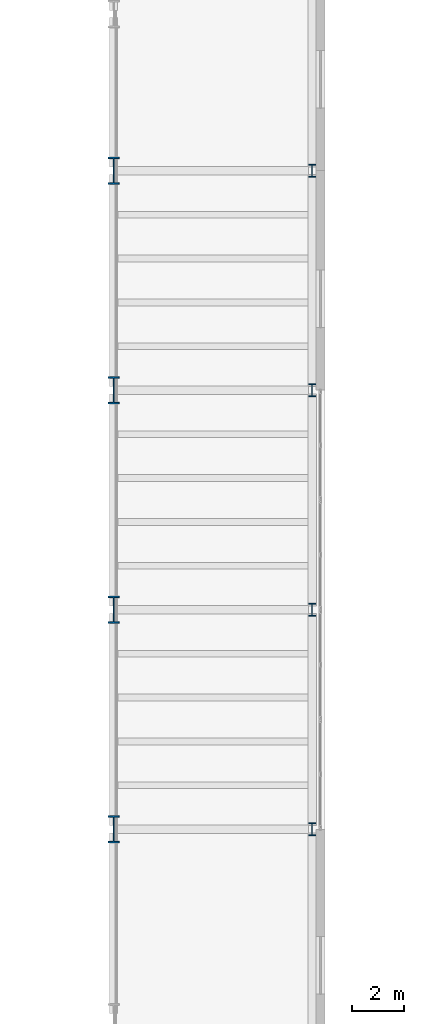
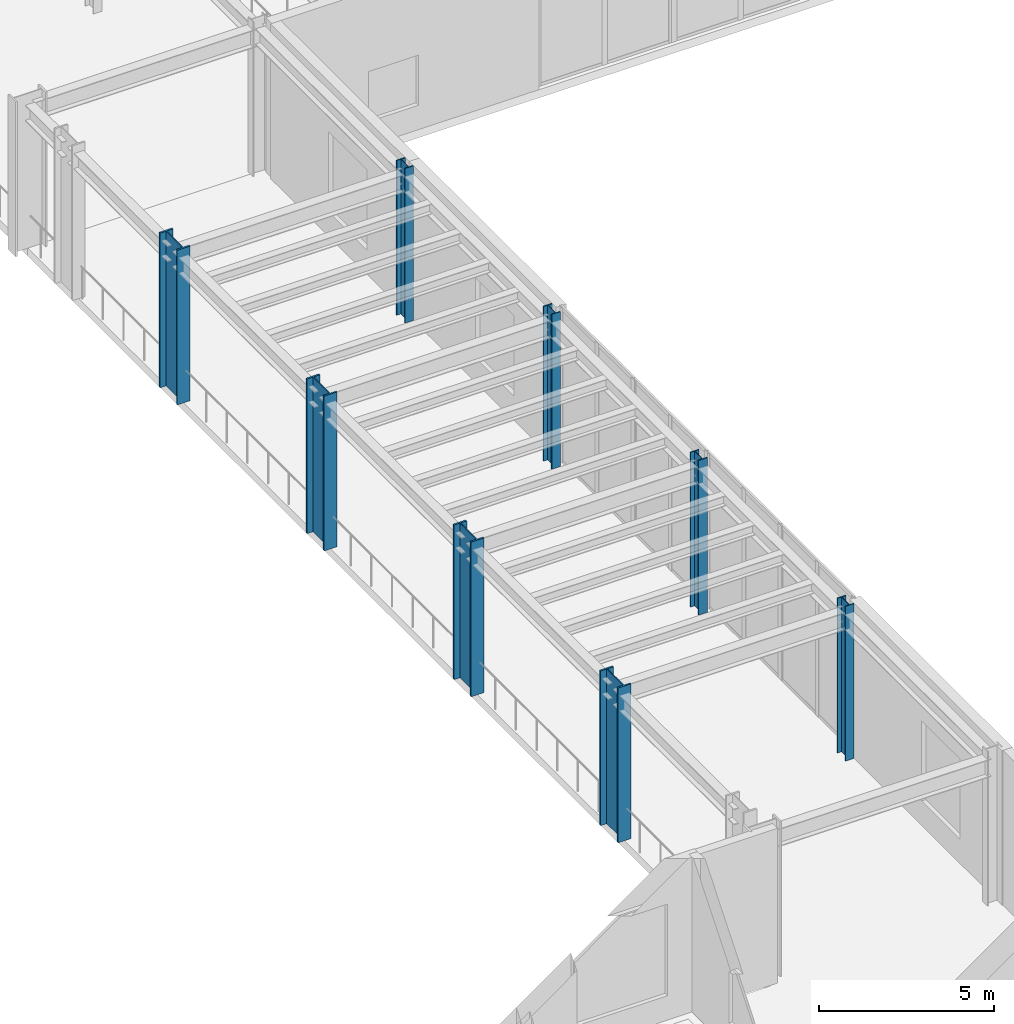
# One storey, part 4 of 98: 8 columns.
"""IFC4 building model written with IfcOpenShell, lengths in metres."""

from ifc_helpers import new_model, si_unit, direction, frame, origin, origin_2d, place, context, subcontext, project, spatial, i_section, extrude, material, material_profile, profile_set, type_object, element, save


model = new_model("IFC4")

# Units and contexts
model_context = context("Model", 3, precision=1e-05, world=origin(), true_north=direction((0.0, 1.0)))
body_context = subcontext(model_context, "Body", "Model", "MODEL_VIEW")
ifc_project = project(units=[si_unit("LENGTHUNIT", "METRE"), si_unit("AREAUNIT", "SQUARE_METRE"), si_unit("VOLUMEUNIT", "CUBIC_METRE"), si_unit("PLANEANGLEUNIT", "RADIAN"), si_unit("MASSUNIT", "GRAM", prefix="KILO")], contexts=[model_context])

# Site, building, storey
site_placement = place(None, origin())
site = spatial("IfcSite", under=ifc_project, at=site_placement, CompositionType="ELEMENT")
building_placement = place(site_placement, origin())
building = spatial("IfcBuilding", under=site, at=building_placement, Name="Sollismere Congress Hotel", CompositionType="ELEMENT")
storey_placement = place(building_placement, frame((0.0, 0.0, 5.39990234375)))
storey = spatial("IfcBuildingStorey", under=building, at=storey_placement, Name="L01", CompositionType="ELEMENT", Elevation=5.39990234375)

# Columns
ifc_material = material(Name="Steel ASTM A992 Grade 50", Category="steel")
ifc_material_profile_1 = material_profile(ifc_material, i_section(OverallWidth=0.283935546875, OverallDepth=0.4951171875, WebThickness=0.0185546875, FlangeThickness=0.033447265625, at=origin_2d()), Name="W18X143")
ifc_profile_set_1 = profile_set([ifc_material_profile_1], Name="Steel ASTM A992 Grade 50")
column_type_1 = type_object("IfcColumnType", Name="COL-W18", PredefinedType="COLUMN", material=ifc_profile_set_1)
for number, where, z_axis, x_axis, name in (
    (1, (58.0, 33.199951171875, 0.0), (0.0, 0.0, 1.0), (1.0, 0.0, 0.0), "Column CL-L01-250"),
    (2, (58.0, 41.60009765625, 0.0), (0.0, 0.0, 1.0), (1.0, 0.0, 0.0), "Column CL-L01-254"),
    (3, (58.0, 50.0, 0.0), (0.0, 0.0, 1.0), (1.0, 0.0, 0.0), "Column CL-L01-258"),
    (4, (58.0, 58.39990234375, 0.0), (0.0, 0.0, 1.0), (1.0, 0.0, 0.0), "Column CL-L01-262"),
):
    element("IfcColumn", number, at=place(storey_placement, frame(where, z_axis=z_axis, x_axis=x_axis)), inside=storey, type_object=column_type_1, Name=name, PredefinedType="COLUMN", context=body_context, shape_type="SweptSolid", body=[
        extrude(i_section(OverallWidth=0.283935546875, OverallDepth=0.4951171875, WebThickness=0.0185546875, FlangeThickness=0.033447265625, at=origin_2d()), origin(), (0.0, 0.0, 1.0), 5.400146484375),
    ])
ifc_material_profile_2 = material_profile(ifc_material, i_section(OverallWidth=0.427001953125, OverallDepth=1.041015625, WebThickness=0.031005859375, FlangeThickness=0.055908203125, at=origin_2d()), Name="W40X397")
ifc_profile_set_2 = profile_set([ifc_material_profile_2], Name="Steel ASTM A992 Grade 50")
column_type_2 = type_object("IfcColumnType", Name="COL-W40", PredefinedType="COLUMN", material=ifc_profile_set_2)
for number, where, z_axis, x_axis, name in (
    (5, (50.39990234375, 33.199951171875, 0.0), (0.0, 0.0, 1.0), (1.0, 0.0, 0.0), "Column CL-L01-207"),
    (6, (50.39990234375, 41.60009765625, 0.0), (0.0, 0.0, 1.0), (1.0, 0.0, 0.0), "Column CL-L01-211"),
    (7, (50.39990234375, 50.0, 0.0), (0.0, 0.0, 1.0), (1.0, 0.0, 0.0), "Column CL-L01-215"),
    (8, (50.39990234375, 58.39990234375, 0.0), (0.0, 0.0, 1.0), (1.0, 0.0, 0.0), "Column CL-L01-219"),
):
    element("IfcColumn", number, at=place(storey_placement, frame(where, z_axis=z_axis, x_axis=x_axis)), inside=storey, type_object=column_type_2, Name=name, PredefinedType="COLUMN", context=body_context, shape_type="SweptSolid", body=[
        extrude(i_section(OverallWidth=0.427001953125, OverallDepth=1.041015625, WebThickness=0.031005859375, FlangeThickness=0.055908203125, at=origin_2d()), origin(), (0.0, 0.0, 1.0), 5.400146484375),
    ])

save(model, "model.ifc")
